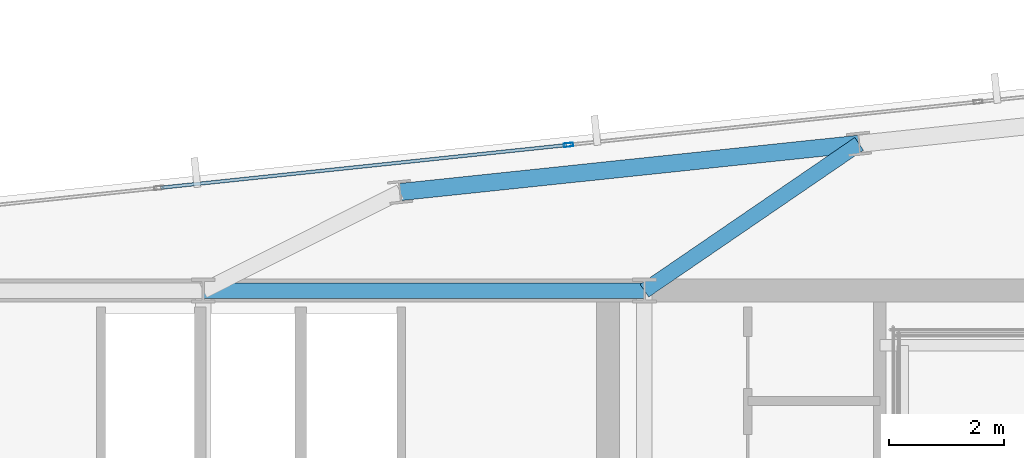
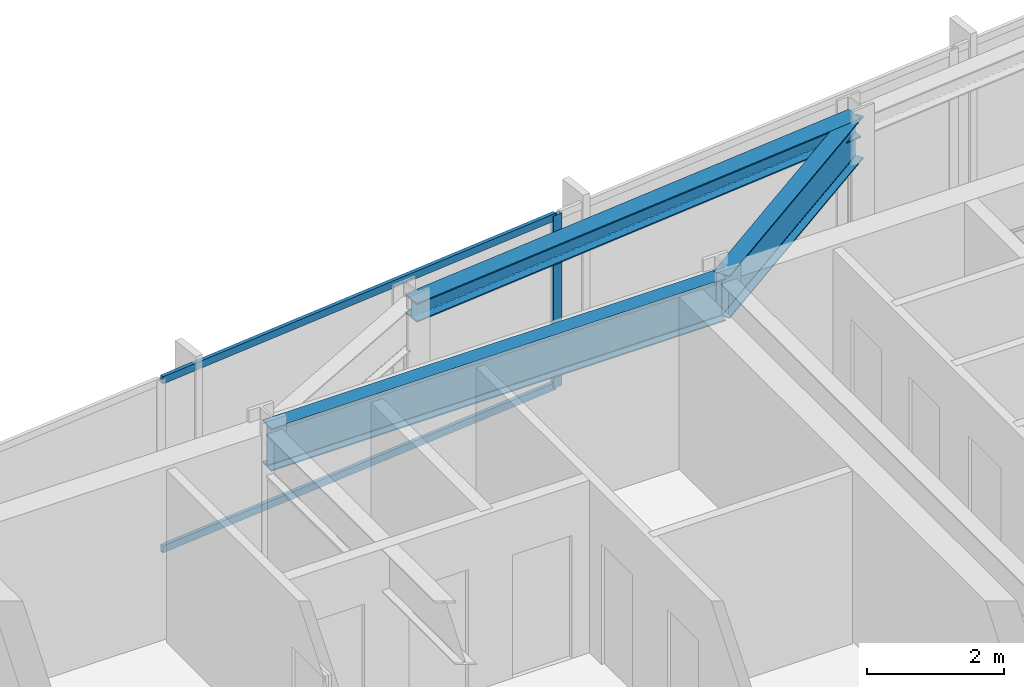
# One storey, part 22 of 33: 3 beams, 3 members, 1 element without a shape of its own.
"""IFC4 building model written with IfcOpenShell, lengths in metres."""

from ifc_helpers import new_model, si_unit, direction, frame, origin, origin_2d, place, context, subcontext, project, spatial, hollow_rectangle, i_section, extrude, material, material_profile, profile_set, type_object, element, aggregate, save


model = new_model("IFC4")

# Units and contexts
model_context = context("Model", 3, precision=1e-05, world=origin(), true_north=direction((0.0, 1.0)))
body_context = subcontext(model_context, "Body", "Model", "MODEL_VIEW")
ifc_project = project(units=[si_unit("LENGTHUNIT", "METRE"), si_unit("AREAUNIT", "SQUARE_METRE"), si_unit("VOLUMEUNIT", "CUBIC_METRE"), si_unit("PLANEANGLEUNIT", "RADIAN"), si_unit("MASSUNIT", "GRAM", prefix="KILO")], contexts=[model_context])

# Site, building, storey
site_placement = place(None, origin())
site = spatial("IfcSite", under=ifc_project, at=site_placement, CompositionType="ELEMENT")
building_placement = place(site_placement, origin())
building = spatial("IfcBuilding", under=site, at=building_placement, Name="Yelkora Congress Tower", CompositionType="ELEMENT")
storey_placement = place(building_placement, frame((0.0, 0.0, 234.199951171875)))
storey = spatial("IfcBuildingStorey", under=building, at=storey_placement, Name="L65", CompositionType="ELEMENT", Elevation=234.199951171875)

# Beams
ifc_material_1 = material(Name="Steel S355J2", Category="steel")
ifc_material_profile_1 = material_profile(ifc_material_1, i_section(OverallWidth=0.26708984375, OverallDepth=0.761962890625, WebThickness=0.014404296875, FlangeThickness=0.021484375, FilletRadius=0.01708984375, at=origin_2d()), Name="IPE 750x173")
ifc_profile_set_1 = profile_set([ifc_material_profile_1], Name="Steel S355J2")
beam_type_1 = type_object("IfcBeamType", Name="BM-GIRD-IPE750", PredefinedType="BEAM", material=ifc_profile_set_1)
beam_1_placement = place(storey_placement, frame((38.39990234375, 46.199951171875, 2.698974609375), z_axis=(1.0, 0.0, 0.0), x_axis=(0.0, 1.0, 0.0)))
element("IfcBeam", 1, at=beam_1_placement, inside=storey, type_object=beam_type_1, Name="L65 Core North Girder 4", PredefinedType="BEAM", context=body_context, shape_type="SweptSolid", body=[
    extrude(i_section(OverallWidth=0.26708984375, OverallDepth=0.761962890625, WebThickness=0.014404296875, FlangeThickness=0.021484375, FilletRadius=0.01708984375, at=origin_2d()), origin(), (0.0, 0.0, 1.0), 7.68017578125),
])
beam_2_placement = place(storey_placement, frame((49.8173828125, 48.757080078125, 2.698974609375), z_axis=(-0.825304616438, -0.564687781067, 0.0), x_axis=(0.564687781067, -0.825304616438, 0.0)))
element("IfcBeam", 2, at=beam_2_placement, inside=storey, type_object=beam_type_1, Name="L65 Primary Frame Girder N05", PredefinedType="BEAM", context=body_context, shape_type="SweptSolid", body=[
    extrude(i_section(OverallWidth=0.26708984375, OverallDepth=0.761962890625, WebThickness=0.014404296875, FlangeThickness=0.021484375, FilletRadius=0.01708984375, at=origin_2d()), origin(), (0.0, 0.0, 1.0), 4.5283203125),
])
ifc_material_profile_2 = material_profile(ifc_material_1, i_section(OverallWidth=0.300048828125, OverallDepth=0.340087890625, WebThickness=0.011962890625, FlangeThickness=0.021484375, FilletRadius=0.027099609375, at=origin_2d()), Name="HEB 340")
ifc_profile_set_2 = profile_set([ifc_material_profile_2], Name="Steel S355J2")
beam_type_2 = type_object("IfcBeamType", Name="BM-SPAN-HEB340", PredefinedType="SPANDREL", material=ifc_profile_set_2)
beam_3_placement = place(storey_placement, frame((49.8173828125, 48.757080078125, 2.91015625), z_axis=(-0.994523256947, -0.104515507904, 0.0), x_axis=(0.104515507904, -0.994523256947, 0.0)))
element("IfcBeam", 3, at=beam_3_placement, inside=storey, type_object=beam_type_2, Name="L65 Perimeter Beam 15", PredefinedType="SPANDREL", context=body_context, shape_type="SweptSolid", body=[
    extrude(i_section(OverallWidth=0.300048828125, OverallDepth=0.340087890625, WebThickness=0.011962890625, FlangeThickness=0.021484375, FilletRadius=0.027099609375, at=origin_2d()), origin(), (0.0, 0.0, 1.0), 8.033203125),
])

# Curtain wall, members
ifc_material_2 = material(Name="Anodised aluminium and insulated glass", Category="aluminium")
curtain_wall_type = type_object("IfcCurtainWallType", Name="CW-SYS-B4", PredefinedType="NOTDEFINED", material=ifc_material_2)
curtain_wall_placement = place(storey_placement, origin())
curtain_wall = element("IfcCurtainWall", 4, at=curtain_wall_placement, inside=storey, type_object=curtain_wall_type, Name="L65 Unitised Curtain Wall 10 (3)", PredefinedType="NOTDEFINED")
ifc_material_3 = material(Name="Anodised aluminium 6063-T6", Category="aluminium")
ifc_material_profile_3 = material_profile(ifc_material_3, hollow_rectangle(XDim=0.06494140625, YDim=0.159912109375, WallThickness=0.00390625, at=origin_2d()), Name="ALU 65x160x4")
ifc_profile_set_3 = profile_set([ifc_material_profile_3], Name="Anodised aluminium 6063-T6")
member_type_1 = type_object("IfcMemberType", Name="MEM-ML-B4", PredefinedType="MULLION", material=ifc_profile_set_3)
member_1_placement = place(storey_placement, frame((44.75830078125, 48.73828125, 0.0), z_axis=(0.0, 0.0, 1.0), x_axis=(-0.104527724021, 0.994521973066, 0.0)))
member_1 = element("IfcMember", 5, at=member_1_placement, type_object=member_type_1, Name="CW-B4 mullion 4", PredefinedType="MULLION", context=body_context, shape_type="SweptSolid", body=[
    extrude(hollow_rectangle(XDim=0.06494140625, YDim=0.159912109375, WallThickness=0.00390625, at=origin_2d()), origin(), (0.0, 0.0, 1.0), 3.080078125),
])
ifc_material_profile_4 = material_profile(ifc_material_3, hollow_rectangle(XDim=0.06005859375, YDim=0.1298828125, WallThickness=0.00390625, at=origin_2d()), Name="ALU 60x130x4")
ifc_profile_set_4 = profile_set([ifc_material_profile_4], Name="Anodised aluminium 6063-T6")
member_type_2 = type_object("IfcMemberType", Name="MEM-TR-B4", PredefinedType="USERDEFINED", material=ifc_profile_set_4)
member_2_placement = place(storey_placement, frame((37.659912109375, 47.9921875, 0.030029296875), z_axis=(0.994521633799, 0.104530951904, 0.0), x_axis=(-0.104530951904, 0.994521633799, 0.0)))
member_2 = element("IfcMember", 6, at=member_2_placement, type_object=member_type_2, Name="CW-B4 transom 3.1", ObjectType="TRANSOM", PredefinedType="USERDEFINED", context=body_context, shape_type="SweptSolid", body=[
    extrude(hollow_rectangle(XDim=0.06005859375, YDim=0.1298828125, WallThickness=0.00390625, at=origin_2d()), origin(), (0.0, 0.0, 1.0), 7.104736328125),
])
member_3_placement = place(storey_placement, frame((37.659912109375, 47.9921875, 3.050048828125), z_axis=(0.994521633799, 0.104530951904, 0.0), x_axis=(-0.104530951904, 0.994521633799, 0.0)))
member_3 = element("IfcMember", 7, at=member_3_placement, type_object=member_type_2, Name="CW-B4 transom 3.2", ObjectType="TRANSOM", PredefinedType="USERDEFINED", context=body_context, shape_type="SweptSolid", body=[
    extrude(hollow_rectangle(XDim=0.06005859375, YDim=0.1298828125, WallThickness=0.00390625, at=origin_2d()), origin(), (0.0, 0.0, 1.0), 7.104736328125),
])
aggregate(curtain_wall, [member_1, member_2, member_3])

save(model, "model.ifc")
